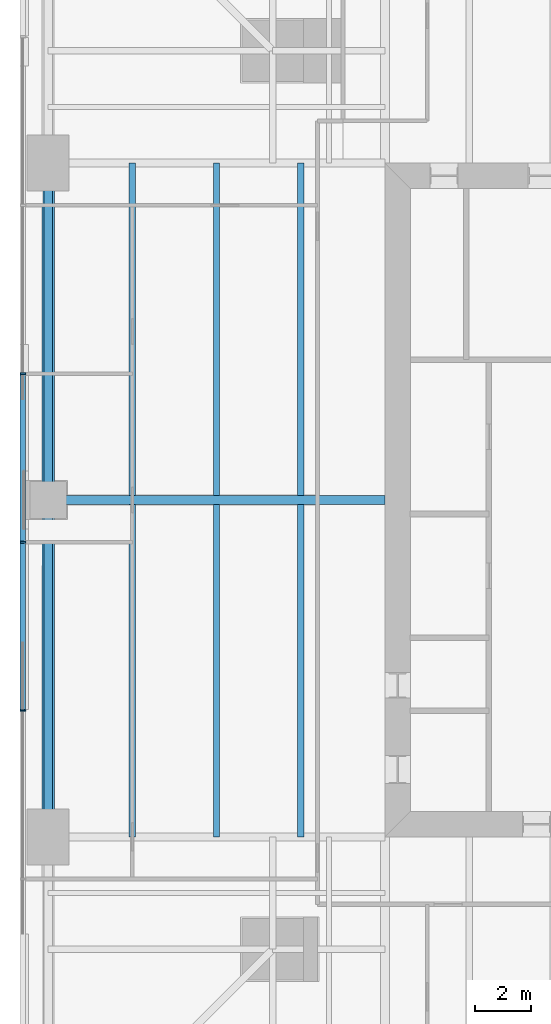
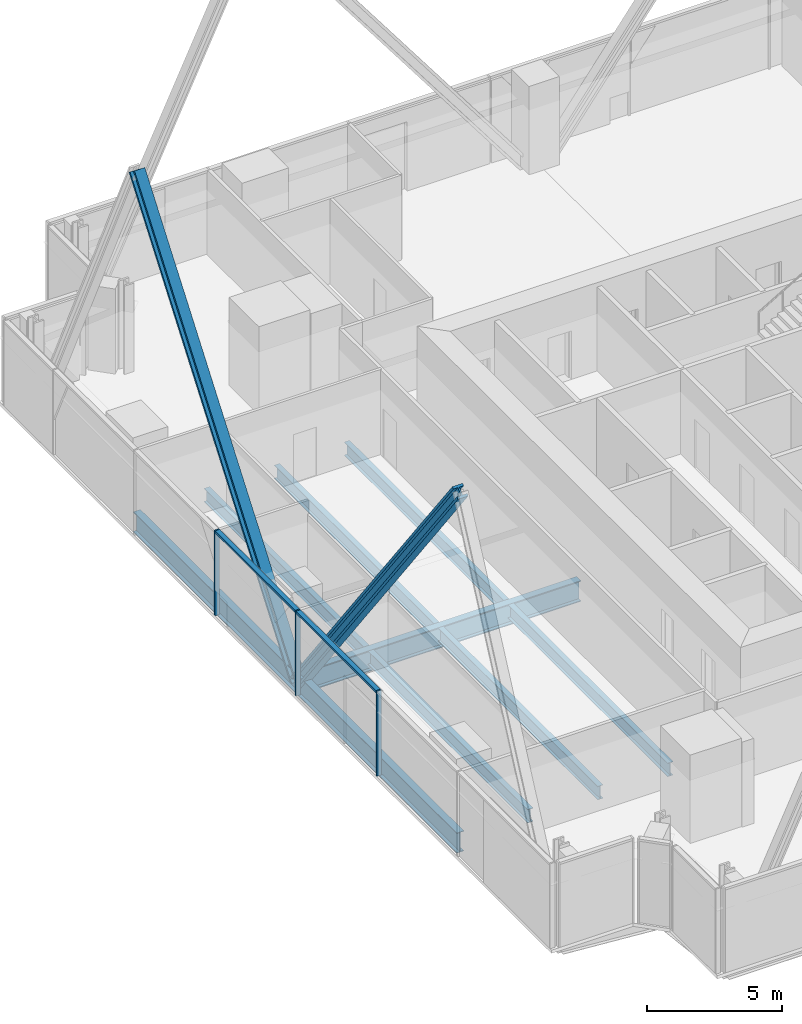
# One storey, part 4 of 13: 9 beams, 7 members, 1 element without a shape of its own.
"""IFC4 building model written with IfcOpenShell, lengths in metres."""

from ifc_helpers import new_model, si_unit, direction, frame, origin, origin_2d, place, context, subcontext, project, spatial, rectangle, i_section, extrude, material, material_profile, profile_set, type_object, element, aggregate, save


model = new_model("IFC4")

# Units and contexts
model_context = context("Model", 3, precision=1e-05, world=origin(), true_north=direction((0.0, 1.0)))
body_context = subcontext(model_context, "Body", "Model", "MODEL_VIEW")
ifc_project = project(units=[si_unit("LENGTHUNIT", "METRE"), si_unit("AREAUNIT", "SQUARE_METRE"), si_unit("VOLUMEUNIT", "CUBIC_METRE"), si_unit("PLANEANGLEUNIT", "RADIAN"), si_unit("MASSUNIT", "GRAM", prefix="KILO")], contexts=[model_context])

# Site, building, storey
site_placement = place(None, origin())
site = spatial("IfcSite", under=ifc_project, at=site_placement, CompositionType="ELEMENT")
building_placement = place(site_placement, origin())
building = spatial("IfcBuilding", under=site, at=building_placement, Name="Fenwick Lantern Interchange", CompositionType="ELEMENT")
storey_placement = place(building_placement, frame((0.0, 0.0, 146.39990234375)))
storey = spatial("IfcBuildingStorey", under=building, at=storey_placement, Name="L34", CompositionType="ELEMENT", Elevation=146.39990234375)

# Beams
ifc_material_1 = material(Name="Steel ASTM A992 Grade 50", Category="steel")
ifc_material_profile_1 = material_profile(ifc_material_1, i_section(OverallWidth=0.3046875, OverallDepth=0.911865234375, WebThickness=0.015869140625, FlangeThickness=0.02392578125, at=origin_2d()), Name="W36X150")
ifc_profile_set_1 = profile_set([ifc_material_profile_1], Name="Steel ASTM A992 Grade 50")
beam_type_1 = type_object("IfcBeamType", Name="EDGE BEAM W36X150", PredefinedType="SPANDREL", material=ifc_profile_set_1)
for number, where, z_axis, x_axis, name in (
    (1, (1.0, 37.0, -0.605712890625), (0.0, -1.0, 0.0), (1.0, 0.0, 0.0), "L34/FR/W/EB2"),
    (2, (1.0, 25.0, -0.605712890625), (0.0, -1.0, 0.0), (1.0, 0.0, 0.0), "L34/FR/W/EB3"),
):
    element("IfcBeam", number, at=place(storey_placement, frame(where, z_axis=z_axis, x_axis=x_axis)), inside=storey, type_object=beam_type_1, Name=name, PredefinedType="SPANDREL", context=body_context, shape_type="SweptSolid", body=[
        extrude(i_section(OverallWidth=0.3046875, OverallDepth=0.911865234375, WebThickness=0.015869140625, FlangeThickness=0.02392578125, at=origin_2d()), origin(), (0.0, 0.0, 1.0), 12.0),
    ])

# Members
ifc_material_profile_2 = material_profile(ifc_material_1, i_section(OverallWidth=0.44189453125, OverallDepth=0.53076171875, WebThickness=0.06591796875, FlangeThickness=0.105712890625, at=origin_2d()), Name="W14X605")
ifc_profile_set_2 = profile_set([ifc_material_profile_2], Name="Steel ASTM A992 Grade 50")
member_type_1 = type_object("IfcMemberType", Name="FACADE BRACE W14X605", PredefinedType="BRACE", material=ifc_profile_set_2)
for number, where, z_axis, x_axis, name in (
    (3, (1.0, 25.0, -0.605712890625), (0.0, 0.602768898294, 0.797915819651), (-1.0, 0.0, 0.0), "L34/FB/W/A"),
    (4, (1.0, 25.0, -0.605712890625), (0.0, -0.602768898294, 0.797915819651), (1.0, 0.0, 0.0), "L34/FB/W/B"),
):
    element("IfcMember", number, at=place(storey_placement, frame(where, z_axis=z_axis, x_axis=x_axis)), inside=storey, type_object=member_type_1, Name=name, PredefinedType="BRACE", context=body_context, shape_type="SweptSolid", body=[
        extrude(i_section(OverallWidth=0.44189453125, OverallDepth=0.53076171875, WebThickness=0.06591796875, FlangeThickness=0.105712890625, at=origin_2d()), origin(), (0.0, 0.0, 1.0), 19.908203125),
    ])

# Beams
ifc_material_profile_3 = material_profile(ifc_material_1, i_section(OverallWidth=0.22900390625, OverallDepth=0.612060546875, WebThickness=0.011962890625, FlangeThickness=0.01953125, at=origin_2d()), Name="W24X84")
ifc_profile_set_3 = profile_set([ifc_material_profile_3], Name="Steel ASTM A992 Grade 50")
beam_type_2 = type_object("IfcBeamType", Name="FLOOR BEAM W24X84", PredefinedType="BEAM", material=ifc_profile_set_3)
for number, where, z_axis, x_axis, name in (
    (5, (4.0, 37.0, -0.4560546875), (0.0, -1.0, 0.0), (1.0, 0.0, 0.0), "L34/FR/W/B01"),
    (6, (7.0, 37.0, -0.4560546875), (0.0, -1.0, 0.0), (1.0, 0.0, 0.0), "L34/FR/W/B02"),
    (7, (10.0, 37.0, -0.4560546875), (0.0, -1.0, 0.0), (1.0, 0.0, 0.0), "L34/FR/W/B03"),
    (8, (4.0, 24.844970703125, -0.4560546875), (0.0, -1.0, 0.0), (1.0, 0.0, 0.0), "L34/FR/W/B04"),
    (9, (7.0, 24.844970703125, -0.4560546875), (0.0, -1.0, 0.0), (1.0, 0.0, 0.0), "L34/FR/W/B05"),
    (10, (10.0, 24.844970703125, -0.4560546875), (0.0, -1.0, 0.0), (1.0, 0.0, 0.0), "L34/FR/W/B06"),
):
    element("IfcBeam", number, at=place(storey_placement, frame(where, z_axis=z_axis, x_axis=x_axis)), inside=storey, type_object=beam_type_2, Name=name, PredefinedType="BEAM", context=body_context, shape_type="SweptSolid", body=[
        extrude(i_section(OverallWidth=0.22900390625, OverallDepth=0.612060546875, WebThickness=0.011962890625, FlangeThickness=0.01953125, at=origin_2d()), origin(), (0.0, 0.0, 1.0), 11.844970703125),
    ])
ifc_material_profile_4 = material_profile(ifc_material_1, i_section(OverallWidth=0.309814453125, OverallDepth=0.949951171875, WebThickness=0.0244140625, FlangeThickness=0.0439453125, at=origin_2d()), Name="W36X256")
ifc_profile_set_4 = profile_set([ifc_material_profile_4], Name="Steel ASTM A992 Grade 50")
beam_type_3 = type_object("IfcBeamType", Name="MOMENT-CONNECTED GIRDER W36X256", PredefinedType="BEAM", material=ifc_profile_set_4)
beam_placement = place(storey_placement, frame((1.0, 25.0, -0.625), z_axis=(1.0, 0.0, 0.0), x_axis=(0.0, 1.0, 0.0)))
element("IfcBeam", 11, at=beam_placement, inside=storey, type_object=beam_type_3, Name="L34/FR/W/R02", PredefinedType="BEAM", context=body_context, shape_type="SweptSolid", body=[
    extrude(i_section(OverallWidth=0.309814453125, OverallDepth=0.949951171875, WebThickness=0.0244140625, FlangeThickness=0.0439453125, at=origin_2d()), origin(), (0.0, 0.0, 1.0), 12.0),
])

# Curtain wall, members
ifc_material_2 = material(Name="Aluminium curtain wall frame", Category="aluminium")
curtain_wall_type = type_object("IfcCurtainWallType", Name="OFFICE CURTAIN WALL", PredefinedType="USERDEFINED", material=ifc_material_2)
curtain_wall_placement = place(storey_placement, origin())
curtain_wall = element("IfcCurtainWall", 12, at=curtain_wall_placement, inside=storey, type_object=curtain_wall_type, Name="Office curtain wall 13", ObjectType="OFFICE CURTAIN WALL", PredefinedType="USERDEFINED")
ifc_material_3 = material(Name="Aluminium extrusion", Category="aluminium")
ifc_material_profile_5 = material_profile(ifc_material_3, rectangle(XDim=0.199951171875, YDim=0.06494140625, at=origin_2d()), Name="OFFICE CURTAIN WALL MULLION 65 X 200")
ifc_profile_set_5 = profile_set([ifc_material_profile_5], Name="Aluminium extrusion")
member_type_2 = type_object("IfcMemberType", Name="OFFICE CURTAIN WALL MULLION 65 X 200", PredefinedType="MULLION", material=ifc_profile_set_5)
member_1_placement = place(storey_placement, frame((0.10009765625, 29.5, 0.0), z_axis=(0.0, 0.0, 1.0), x_axis=(1.0, 0.0, 0.0)))
member_1 = element("IfcMember", 13, at=member_1_placement, type_object=member_type_2, Name="L34/CW/13/M03", PredefinedType="MULLION", context=body_context, shape_type="SweptSolid", body=[
    extrude(rectangle(XDim=0.199951171875, YDim=0.06494140625, at=origin_2d()), origin(), (0.0, 0.0, 1.0), 3.85009765625),
])
member_2_placement = place(storey_placement, frame((0.10009765625, 23.5, 0.0), z_axis=(0.0, 0.0, 1.0), x_axis=(1.0, 0.0, 0.0)))
member_2 = element("IfcMember", 14, at=member_2_placement, type_object=member_type_2, Name="L34/CW/13/M04", PredefinedType="MULLION", context=body_context, shape_type="SweptSolid", body=[
    extrude(rectangle(XDim=0.199951171875, YDim=0.06494140625, at=origin_2d()), origin(), (0.0, 0.0, 1.0), 3.85009765625),
])
member_3_placement = place(storey_placement, frame((0.10009765625, 17.5, 0.0), z_axis=(0.0, 0.0, 1.0), x_axis=(1.0, 0.0, 0.0)))
member_3 = element("IfcMember", 15, at=member_3_placement, type_object=member_type_2, Name="L34/CW/13/M05", PredefinedType="MULLION", context=body_context, shape_type="SweptSolid", body=[
    extrude(rectangle(XDim=0.199951171875, YDim=0.06494140625, at=origin_2d()), origin(), (0.0, 0.0, 1.0), 3.85009765625),
])
ifc_material_profile_6 = material_profile(ifc_material_3, rectangle(XDim=0.199951171875, YDim=0.10009765625, at=origin_2d()), Name="OFFICE CURTAIN WALL TRANSOM 100 X 200")
ifc_profile_set_6 = profile_set([ifc_material_profile_6], Name="Aluminium extrusion")
member_type_3 = type_object("IfcMemberType", Name="OFFICE CURTAIN WALL TRANSOM 100 X 200", PredefinedType="MULLION", material=ifc_profile_set_6)
member_4_placement = place(storey_placement, frame((0.10009765625, 29.467529296875, 3.800048828125), z_axis=(0.0, -1.0, 0.0), x_axis=(1.0, 0.0, 0.0)))
member_4 = element("IfcMember", 16, at=member_4_placement, type_object=member_type_3, Name="L34/CW/13/T03", PredefinedType="MULLION", context=body_context, shape_type="SweptSolid", body=[
    extrude(rectangle(XDim=0.199951171875, YDim=0.10009765625, at=origin_2d()), origin(), (0.0, 0.0, 1.0), 5.93505859375),
])
member_5_placement = place(storey_placement, frame((0.10009765625, 23.467529296875, 3.800048828125), z_axis=(0.0, -1.0, 0.0), x_axis=(1.0, 0.0, 0.0)))
member_5 = element("IfcMember", 17, at=member_5_placement, type_object=member_type_3, Name="L34/CW/13/T04", PredefinedType="MULLION", context=body_context, shape_type="SweptSolid", body=[
    extrude(rectangle(XDim=0.199951171875, YDim=0.10009765625, at=origin_2d()), origin(), (0.0, 0.0, 1.0), 5.93505859375),
])
aggregate(curtain_wall, [member_1, member_2, member_3, member_4, member_5])

save(model, "model.ifc")
